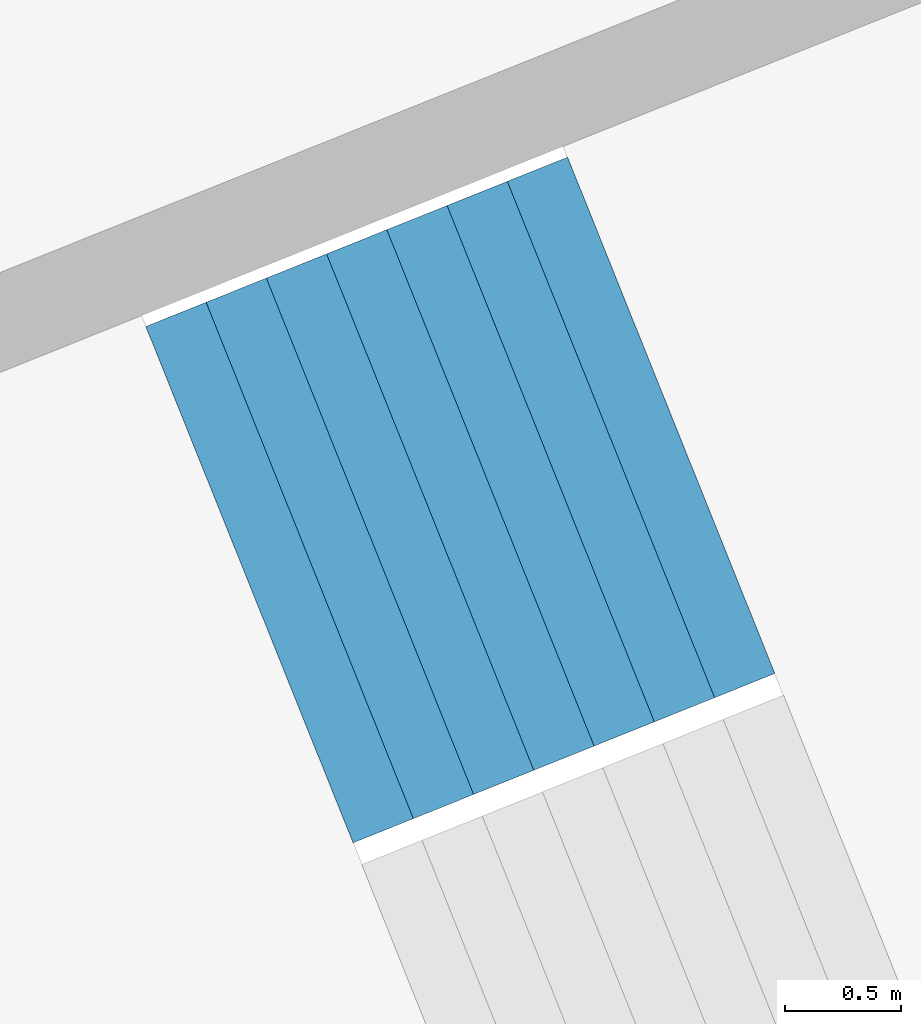
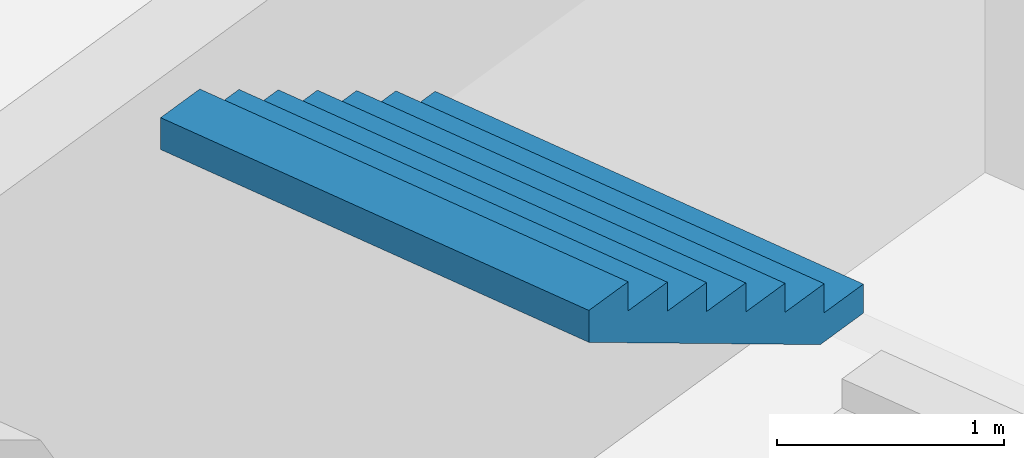
# One storey, part 68 of 73: 1 stair flight, 1 element without a shape of its own.
"""IFC4 building model written with IfcOpenShell, lengths in metres."""

from ifc_helpers import new_model, si_unit, direction, frame, origin, place, context, subcontext, project, spatial, triangles, material, type_object, element, aggregate, save


model = new_model("IFC4")

# Units and contexts
model_context = context("Model", 3, precision=1e-05, world=origin(), true_north=direction((0.0, 1.0)))
body_context = subcontext(model_context, "Body", "Model", "MODEL_VIEW")
ifc_project = project(units=[si_unit("LENGTHUNIT", "METRE"), si_unit("AREAUNIT", "SQUARE_METRE"), si_unit("VOLUMEUNIT", "CUBIC_METRE"), si_unit("PLANEANGLEUNIT", "RADIAN"), si_unit("MASSUNIT", "GRAM", prefix="KILO")], contexts=[model_context])

# Site, building, storey
site_placement = place(None, origin())
site = spatial("IfcSite", under=ifc_project, at=site_placement, CompositionType="ELEMENT")
building_placement = place(site_placement, origin())
building = spatial("IfcBuilding", under=site, at=building_placement, Name="Lantaw Convention Tower", CompositionType="ELEMENT")
storey_placement = place(building_placement, frame((0.0, 0.0, 27.0)))
storey = spatial("IfcBuildingStorey", under=building, at=storey_placement, Name="L04", CompositionType="ELEMENT", Elevation=27.0)

# Stair, stair flight
ifc_material = material(Name="Concrete C35/45", Category="concrete")
stair_type = type_object("IfcStairType", Name="Exit stair 2400 riser 156.25 in 4 flights", PredefinedType="HALF_TURN_STAIR", material=ifc_material)
stair_placement = place(storey_placement, origin())
stair = element("IfcStair", 1, at=stair_placement, inside=storey, type_object=stair_type, Name="Podium exit stair P2 L04", PredefinedType="HALF_TURN_STAIR")
stair_flight_type = type_object("IfcStairFlightType", Name="Stair flight 2400 riser 156.25", PredefinedType="STRAIGHT", material=ifc_material)
stair_flight_placement = place(storey_placement, frame((37.618408203125, 16.448486328125, 3.75), z_axis=(0.0, 0.0, 1.0), x_axis=(-0.928015168305, -0.372542410198, 0.0)))
stair_flight = element("IfcStairFlight", 2, at=stair_flight_placement, type_object=stair_flight_type, Name="P2 flight 4", NumberOfRisers=8, NumberOfTreads=7, PredefinedType="STRAIGHT", RiserHeight=0.15625, TreadLength=0.28, context=body_context, shape_type="Tessellation", body=[
    triangles([(0.0, 1.199951171875, 0.0), (0.0, 1.199951171875, 0.15625), (0.28, 1.199951171875, 0.0), (0.28, 1.199951171875, 0.15625), (0.28, 1.199951171875, 0.3125), (0.3076200632058044, 1.199951171875, 0.0), (0.3076200632058044, 1.199951171875, 0.3125), (0.56, 1.199951171875, 0.14083701830033238), (0.56, 1.199951171875, 0.3125), (0.56, 1.199951171875, 0.46875), (0.8400000000000001, 1.199951171875, 0.29708701830033235), (0.8400000000000001, 1.199951171875, 0.46875), (0.8400000000000001, 1.199951171875, 0.625), (1.12, 1.199951171875, 0.45333701830033235), (1.12, 1.199951171875, 0.625), (1.12, 1.199951171875, 0.78125), (1.4000000000000001, 1.199951171875, 0.6095870183003324), (1.4000000000000001, 1.199951171875, 0.78125), (1.4000000000000001, 1.199951171875, 0.9375), (1.6800000000000002, 1.199951171875, 0.7658370183003324), (1.6800000000000002, 1.199951171875, 0.9375), (1.6800000000000002, 1.199951171875, 1.09375), (1.9600000000000002, 1.199951171875, 0.9220870183003324), (1.9600000000000002, 1.199951171875, 1.09375), (0.0, -1.199951171875, 0.0), (0.0, -1.199951171875, 0.15625), (0.28, -1.199951171875, 0.0), (0.28, -1.199951171875, 0.15625), (0.28, -1.199951171875, 0.3125), (0.3076200632058044, -1.199951171875, 0.0), (0.3076200632058044, -1.199951171875, 0.3125), (0.56, -1.199951171875, 0.14083701830033238), (0.56, -1.199951171875, 0.3125), (0.56, -1.199951171875, 0.46875), (0.8400000000000001, -1.199951171875, 0.29708701830033235), (0.8400000000000001, -1.199951171875, 0.46875), (0.8400000000000001, -1.199951171875, 0.625), (1.12, -1.199951171875, 0.45333701830033235), (1.12, -1.199951171875, 0.625), (1.12, -1.199951171875, 0.78125), (1.4000000000000001, -1.199951171875, 0.6095870183003324), (1.4000000000000001, -1.199951171875, 0.78125), (1.4000000000000001, -1.199951171875, 0.9375), (1.6800000000000002, -1.199951171875, 0.7658370183003324), (1.6800000000000002, -1.199951171875, 0.9375), (1.6800000000000002, -1.199951171875, 1.09375), (1.9600000000000002, -1.199951171875, 0.9220870183003324), (1.9600000000000002, -1.199951171875, 1.09375), (0.0, 0.239990234375, 0.15625), (0.0, 0.239990234375, 0.0), (0.0, 0.1919921875, 0.15625), (0.0, 0.1919921875, 0.0), (0.0, 0.143994140625, 0.15625), (0.0, 0.143994140625, 0.0), (0.0, 0.09599609375, 0.15625), (0.0, 0.09599609375, 0.0), (0.0, 0.047998046875, 0.15625), (0.0, 0.047998046875, 0.0), (0.0, 0.0, 0.15625), (0.0, 0.0, 0.0), (0.0, -0.047998046875, 0.15625), (0.0, -0.047998046875, 0.0), (0.0, -0.09599609375, 0.15625), (0.0, -0.09599609375, 0.0), (0.0, -0.143994140625, 0.15625), (0.0, -0.143994140625, 0.0), (0.0, -0.1919921875, 0.15625), (0.0, -0.1919921875, 0.0), (0.0, -0.239990234375, 0.15625), (0.0, -0.239990234375, 0.0), (0.28, 0.239990234375, 0.3125), (0.28, 0.239990234375, 0.15625), (0.28, 0.1919921875, 0.3125), (0.28, 0.1919921875, 0.15625), (0.28, 0.143994140625, 0.3125), (0.28, 0.143994140625, 0.15625), (0.28, 0.09599609375, 0.3125), (0.28, 0.09599609375, 0.15625), (0.28, 0.047998046875, 0.3125), (0.28, 0.047998046875, 0.15625), (0.28, 0.0, 0.3125), (0.28, 0.0, 0.15625), (0.28, -0.047998046875, 0.3125), (0.28, -0.047998046875, 0.15625), (0.28, -0.09599609375, 0.3125), (0.28, -0.09599609375, 0.15625), (0.28, -0.143994140625, 0.3125), (0.28, -0.143994140625, 0.15625), (0.28, -0.1919921875, 0.3125), (0.28, -0.1919921875, 0.15625), (0.28, -0.239990234375, 0.3125), (0.28, -0.239990234375, 0.15625), (0.56, 0.239990234375, 0.46875), (0.56, 0.239990234375, 0.3125), (0.56, 0.1919921875, 0.46875), (0.56, 0.1919921875, 0.3125), (0.56, 0.143994140625, 0.46875), (0.56, 0.143994140625, 0.3125), (0.56, 0.09599609375, 0.46875), (0.56, 0.09599609375, 0.3125), (0.56, 0.047998046875, 0.46875), (0.56, 0.047998046875, 0.3125), (0.56, 0.0, 0.46875), (0.56, 0.0, 0.3125), (0.56, -0.047998046875, 0.46875), (0.56, -0.047998046875, 0.3125), (0.56, -0.09599609375, 0.46875), (0.56, -0.09599609375, 0.3125), (0.56, -0.143994140625, 0.46875), (0.56, -0.143994140625, 0.3125), (0.56, -0.1919921875, 0.46875), (0.56, -0.1919921875, 0.3125), (0.56, -0.239990234375, 0.46875), (0.56, -0.239990234375, 0.3125), (0.8400000000000001, 0.239990234375, 0.625), (0.8400000000000001, 0.239990234375, 0.46875), (0.8400000000000001, 0.1919921875, 0.625), (0.8400000000000001, 0.1919921875, 0.46875), (0.8400000000000001, 0.143994140625, 0.625), (0.8400000000000001, 0.143994140625, 0.46875), (0.8400000000000001, 0.09599609375, 0.625), (0.8400000000000001, 0.09599609375, 0.46875), (0.8400000000000001, 0.047998046875, 0.625), (0.8400000000000001, 0.047998046875, 0.46875), (0.8400000000000001, 0.0, 0.625), (0.8400000000000001, 0.0, 0.46875), (0.8400000000000001, -0.047998046875, 0.625), (0.8400000000000001, -0.047998046875, 0.46875), (0.8400000000000001, -0.09599609375, 0.625), (0.8400000000000001, -0.09599609375, 0.46875), (0.8400000000000001, -0.143994140625, 0.625), (0.8400000000000001, -0.143994140625, 0.46875), (0.8400000000000001, -0.1919921875, 0.625), (0.8400000000000001, -0.1919921875, 0.46875), (0.8400000000000001, -0.239990234375, 0.625), (0.8400000000000001, -0.239990234375, 0.46875), (1.12, 0.239990234375, 0.78125), (1.12, 0.239990234375, 0.625), (1.12, 0.1919921875, 0.78125), (1.12, 0.1919921875, 0.625), (1.12, 0.143994140625, 0.78125), (1.12, 0.143994140625, 0.625), (1.12, 0.09599609375, 0.78125), (1.12, 0.09599609375, 0.625), (1.12, 0.047998046875, 0.78125), (1.12, 0.047998046875, 0.625), (1.12, 0.0, 0.78125), (1.12, 0.0, 0.625), (1.12, -0.047998046875, 0.78125), (1.12, -0.047998046875, 0.625), (1.12, -0.09599609375, 0.78125), (1.12, -0.09599609375, 0.625), (1.12, -0.143994140625, 0.78125), (1.12, -0.143994140625, 0.625), (1.12, -0.1919921875, 0.78125), (1.12, -0.1919921875, 0.625), (1.12, -0.239990234375, 0.78125), (1.12, -0.239990234375, 0.625), (1.4000000000000001, 0.239990234375, 0.9375), (1.4000000000000001, 0.239990234375, 0.78125), (1.4000000000000001, 0.1919921875, 0.9375), (1.4000000000000001, 0.1919921875, 0.78125), (1.4000000000000001, 0.143994140625, 0.9375), (1.4000000000000001, 0.143994140625, 0.78125), (1.4000000000000001, 0.09599609375, 0.9375), (1.4000000000000001, 0.09599609375, 0.78125), (1.4000000000000001, 0.047998046875, 0.9375), (1.4000000000000001, 0.047998046875, 0.78125), (1.4000000000000001, 0.0, 0.9375), (1.4000000000000001, 0.0, 0.78125), (1.4000000000000001, -0.047998046875, 0.9375), (1.4000000000000001, -0.047998046875, 0.78125), (1.4000000000000001, -0.09599609375, 0.9375), (1.4000000000000001, -0.09599609375, 0.78125), (1.4000000000000001, -0.143994140625, 0.9375), (1.4000000000000001, -0.143994140625, 0.78125), (1.4000000000000001, -0.1919921875, 0.9375), (1.4000000000000001, -0.1919921875, 0.78125), (1.4000000000000001, -0.239990234375, 0.9375), (1.4000000000000001, -0.239990234375, 0.78125), (1.6800000000000002, 0.239990234375, 1.09375), (1.6800000000000002, 0.239990234375, 0.9375), (1.6800000000000002, 0.1919921875, 1.09375), (1.6800000000000002, 0.1919921875, 0.9375), (1.6800000000000002, 0.143994140625, 1.09375), (1.6800000000000002, 0.143994140625, 0.9375), (1.6800000000000002, 0.09599609375, 1.09375), (1.6800000000000002, 0.09599609375, 0.9375), (1.6800000000000002, 0.047998046875, 1.09375), (1.6800000000000002, 0.047998046875, 0.9375), (1.6800000000000002, 0.0, 1.09375), (1.6800000000000002, 0.0, 0.9375), (1.6800000000000002, -0.047998046875, 1.09375), (1.6800000000000002, -0.047998046875, 0.9375), (1.6800000000000002, -0.09599609375, 1.09375), (1.6800000000000002, -0.09599609375, 0.9375), (1.6800000000000002, -0.143994140625, 1.09375), (1.6800000000000002, -0.143994140625, 0.9375), (1.6800000000000002, -0.1919921875, 1.09375), (1.6800000000000002, -0.1919921875, 0.9375), (1.6800000000000002, -0.239990234375, 1.09375), (1.6800000000000002, -0.239990234375, 0.9375), (0.3076200632058044, 0.239990234375, 0.3125), (0.3076200632058044, 0.1919921875, 0.3125), (0.3076200632058044, 0.143994140625, 0.3125), (0.3076200632058044, 0.09599609375, 0.3125), (0.3076200632058044, 0.047998046875, 0.3125), (0.3076200632058044, 0.0, 0.3125), (0.3076200632058044, -0.047998046875, 0.3125), (0.3076200632058044, -0.09599609375, 0.3125), (0.3076200632058044, -0.143994140625, 0.3125), (0.3076200632058044, -0.1919921875, 0.3125), (0.3076200632058044, -0.239990234375, 0.3125), (1.9600000000000002, 0.239990234375, 1.09375), (1.9600000000000002, 0.1919921875, 1.09375), (1.9600000000000002, 0.143994140625, 1.09375), (1.9600000000000002, 0.09599609375, 1.09375), (1.9600000000000002, 0.047998046875, 1.09375), (1.9600000000000002, 0.0, 1.09375), (1.9600000000000002, -0.047998046875, 1.09375), (1.9600000000000002, -0.09599609375, 1.09375), (1.9600000000000002, -0.143994140625, 1.09375), (1.9600000000000002, -0.1919921875, 1.09375), (1.9600000000000002, -0.239990234375, 1.09375), (1.9600000000000002, 0.239990234375, 0.9220870183003324), (1.9600000000000002, 0.1919921875, 0.9220870183003324), (1.9600000000000002, 0.143994140625, 0.9220870183003324), (1.9600000000000002, 0.09599609375, 0.9220870183003324), (1.9600000000000002, 0.047998046875, 0.9220870183003324), (1.9600000000000002, 0.0, 0.9220870183003324), (1.9600000000000002, -0.047998046875, 0.9220870183003324), (1.9600000000000002, -0.09599609375, 0.9220870183003324), (1.9600000000000002, -0.143994140625, 0.9220870183003324), (1.9600000000000002, -0.1919921875, 0.9220870183003324), (1.9600000000000002, -0.239990234375, 0.9220870183003324), (1.6800000000000002, 0.239990234375, 0.7658370183003324), (1.6800000000000002, 0.1919921875, 0.7658370183003324), (1.6800000000000002, 0.143994140625, 0.7658370183003324), (1.6800000000000002, 0.09599609375, 0.7658370183003324), (1.6800000000000002, 0.047998046875, 0.7658370183003324), (1.6800000000000002, 0.0, 0.7658370183003324), (1.6800000000000002, -0.047998046875, 0.7658370183003324), (1.6800000000000002, -0.09599609375, 0.7658370183003324), (1.6800000000000002, -0.143994140625, 0.7658370183003324), (1.6800000000000002, -0.1919921875, 0.7658370183003324), (1.6800000000000002, -0.239990234375, 0.7658370183003324), (1.4000000000000001, 0.239990234375, 0.6095870183003324), (1.4000000000000001, 0.1919921875, 0.6095870183003324), (1.4000000000000001, 0.143994140625, 0.6095870183003324), (1.4000000000000001, 0.09599609375, 0.6095870183003324), (1.4000000000000001, 0.047998046875, 0.6095870183003324), (1.4000000000000001, 0.0, 0.6095870183003324), (1.4000000000000001, -0.047998046875, 0.6095870183003324), (1.4000000000000001, -0.09599609375, 0.6095870183003324), (1.4000000000000001, -0.143994140625, 0.6095870183003324), (1.4000000000000001, -0.1919921875, 0.6095870183003324), (1.4000000000000001, -0.239990234375, 0.6095870183003324), (1.12, 0.239990234375, 0.45333701830033235), (1.12, 0.1919921875, 0.45333701830033235), (1.12, 0.143994140625, 0.45333701830033235), (1.12, 0.09599609375, 0.45333701830033235), (1.12, 0.047998046875, 0.45333701830033235), (1.12, 0.0, 0.45333701830033235), (1.12, -0.047998046875, 0.45333701830033235), (1.12, -0.09599609375, 0.45333701830033235), (1.12, -0.143994140625, 0.45333701830033235), (1.12, -0.1919921875, 0.45333701830033235), (1.12, -0.239990234375, 0.45333701830033235), (0.8400000000000001, 0.239990234375, 0.29708701830033235), (0.8400000000000001, 0.1919921875, 0.29708701830033235), (0.8400000000000001, 0.143994140625, 0.29708701830033235), (0.8400000000000001, 0.09599609375, 0.29708701830033235), (0.8400000000000001, 0.047998046875, 0.29708701830033235), (0.8400000000000001, 0.0, 0.29708701830033235), (0.8400000000000001, -0.047998046875, 0.29708701830033235), (0.8400000000000001, -0.09599609375, 0.29708701830033235), (0.8400000000000001, -0.143994140625, 0.29708701830033235), (0.8400000000000001, -0.1919921875, 0.29708701830033235), (0.8400000000000001, -0.239990234375, 0.29708701830033235), (0.56, 0.239990234375, 0.14083701830033238), (0.56, 0.1919921875, 0.14083701830033238), (0.56, 0.143994140625, 0.14083701830033238), (0.56, 0.09599609375, 0.14083701830033238), (0.56, 0.047998046875, 0.14083701830033238), (0.56, 0.0, 0.14083701830033238), (0.56, -0.047998046875, 0.14083701830033238), (0.56, -0.09599609375, 0.14083701830033238), (0.56, -0.143994140625, 0.14083701830033238), (0.56, -0.1919921875, 0.14083701830033238), (0.56, -0.239990234375, 0.14083701830033238), (0.3076200632058044, 0.239990234375, 0.0), (0.3076200632058044, 0.1919921875, 0.0), (0.3076200632058044, 0.143994140625, 0.0), (0.3076200632058044, 0.09599609375, 0.0), (0.3076200632058044, 0.047998046875, 0.0), (0.3076200632058044, 0.0, 0.0), (0.3076200632058044, -0.047998046875, 0.0), (0.3076200632058044, -0.09599609375, 0.0), (0.3076200632058044, -0.143994140625, 0.0), (0.3076200632058044, -0.1919921875, 0.0), (0.3076200632058044, -0.239990234375, 0.0), (0.28, 0.239990234375, 0.0), (0.28, 0.1919921875, 0.0), (0.28, 0.143994140625, 0.0), (0.28, 0.09599609375, 0.0), (0.28, 0.047998046875, 0.0), (0.28, 0.0, 0.0), (0.28, -0.047998046875, 0.0), (0.28, -0.09599609375, 0.0), (0.28, -0.143994140625, 0.0), (0.28, -0.1919921875, 0.0), (0.28, -0.239990234375, 0.0)], [[1, 4, 3], [1, 2, 4], [3, 4, 6], [4, 7, 6], [4, 5, 7], [6, 9, 8], [6, 7, 9], [8, 9, 11], [9, 12, 11], [9, 10, 12], [11, 12, 14], [12, 15, 14], [12, 13, 15], [14, 15, 17], [15, 18, 17], [15, 16, 18], [17, 18, 20], [18, 21, 20], [18, 19, 21], [20, 21, 23], [21, 24, 23], [21, 22, 24], [25, 27, 28], [25, 28, 26], [27, 30, 28], [28, 30, 31], [28, 31, 29], [30, 32, 33], [30, 33, 31], [32, 35, 33], [33, 35, 36], [33, 36, 34], [35, 38, 36], [36, 38, 39], [36, 39, 37], [38, 41, 39], [39, 41, 42], [39, 42, 40], [41, 44, 42], [42, 44, 45], [42, 45, 43], [44, 47, 45], [45, 47, 48], [45, 48, 46], [1, 49, 2], [1, 50, 49], [50, 51, 49], [50, 52, 51], [52, 53, 51], [52, 54, 53], [54, 55, 53], [54, 56, 55], [56, 57, 55], [56, 58, 57], [58, 59, 57], [58, 60, 59], [60, 61, 59], [60, 62, 61], [62, 63, 61], [62, 64, 63], [64, 65, 63], [64, 66, 65], [66, 67, 65], [66, 68, 67], [68, 69, 67], [68, 70, 69], [70, 26, 69], [70, 25, 26], [4, 71, 5], [4, 72, 71], [72, 73, 71], [72, 74, 73], [74, 75, 73], [74, 76, 75], [76, 77, 75], [76, 78, 77], [78, 79, 77], [78, 80, 79], [80, 81, 79], [80, 82, 81], [82, 83, 81], [82, 84, 83], [84, 85, 83], [84, 86, 85], [86, 87, 85], [86, 88, 87], [88, 89, 87], [88, 90, 89], [90, 91, 89], [90, 92, 91], [92, 29, 91], [92, 28, 29], [9, 93, 10], [9, 94, 93], [94, 95, 93], [94, 96, 95], [96, 97, 95], [96, 98, 97], [98, 99, 97], [98, 100, 99], [100, 101, 99], [100, 102, 101], [102, 103, 101], [102, 104, 103], [104, 105, 103], [104, 106, 105], [106, 107, 105], [106, 108, 107], [108, 109, 107], [108, 110, 109], [110, 111, 109], [110, 112, 111], [112, 113, 111], [112, 114, 113], [114, 34, 113], [114, 33, 34], [12, 115, 13], [12, 116, 115], [116, 117, 115], [116, 118, 117], [118, 119, 117], [118, 120, 119], [120, 121, 119], [120, 122, 121], [122, 123, 121], [122, 124, 123], [124, 125, 123], [124, 126, 125], [126, 127, 125], [126, 128, 127], [128, 129, 127], [128, 130, 129], [130, 131, 129], [130, 132, 131], [132, 133, 131], [132, 134, 133], [134, 135, 133], [134, 136, 135], [136, 37, 135], [136, 36, 37], [15, 137, 16], [15, 138, 137], [138, 139, 137], [138, 140, 139], [140, 141, 139], [140, 142, 141], [142, 143, 141], [142, 144, 143], [144, 145, 143], [144, 146, 145], [146, 147, 145], [146, 148, 147], [148, 149, 147], [148, 150, 149], [150, 151, 149], [150, 152, 151], [152, 153, 151], [152, 154, 153], [154, 155, 153], [154, 156, 155], [156, 157, 155], [156, 158, 157], [158, 40, 157], [158, 39, 40], [18, 159, 19], [18, 160, 159], [160, 161, 159], [160, 162, 161], [162, 163, 161], [162, 164, 163], [164, 165, 163], [164, 166, 165], [166, 167, 165], [166, 168, 167], [168, 169, 167], [168, 170, 169], [170, 171, 169], [170, 172, 171], [172, 173, 171], [172, 174, 173], [174, 175, 173], [174, 176, 175], [176, 177, 175], [176, 178, 177], [178, 179, 177], [178, 180, 179], [180, 43, 179], [180, 42, 43], [21, 181, 22], [21, 182, 181], [182, 183, 181], [182, 184, 183], [184, 185, 183], [184, 186, 185], [186, 187, 185], [186, 188, 187], [188, 189, 187], [188, 190, 189], [190, 191, 189], [190, 192, 191], [192, 193, 191], [192, 194, 193], [194, 195, 193], [194, 196, 195], [196, 197, 195], [196, 198, 197], [198, 199, 197], [198, 200, 199], [200, 201, 199], [200, 202, 201], [202, 46, 201], [202, 45, 46], [2, 72, 4], [2, 49, 72], [49, 74, 72], [49, 51, 74], [51, 76, 74], [51, 53, 76], [53, 78, 76], [53, 55, 78], [55, 80, 78], [55, 57, 80], [57, 82, 80], [57, 59, 82], [59, 84, 82], [59, 61, 84], [61, 86, 84], [61, 63, 86], [63, 88, 86], [63, 65, 88], [65, 90, 88], [65, 67, 90], [67, 92, 90], [67, 69, 92], [69, 28, 92], [69, 26, 28], [5, 203, 7], [5, 71, 203], [71, 204, 203], [71, 73, 204], [73, 205, 204], [73, 75, 205], [75, 206, 205], [75, 77, 206], [77, 207, 206], [77, 79, 207], [79, 208, 207], [79, 81, 208], [81, 209, 208], [81, 83, 209], [83, 210, 209], [83, 85, 210], [85, 211, 210], [85, 87, 211], [87, 212, 211], [87, 89, 212], [89, 213, 212], [89, 91, 213], [91, 31, 213], [91, 29, 31], [7, 94, 9], [7, 203, 94], [203, 96, 94], [203, 204, 96], [204, 98, 96], [204, 205, 98], [205, 100, 98], [205, 206, 100], [206, 102, 100], [206, 207, 102], [207, 104, 102], [207, 208, 104], [208, 106, 104], [208, 209, 106], [209, 108, 106], [209, 210, 108], [210, 110, 108], [210, 211, 110], [211, 112, 110], [211, 212, 112], [212, 114, 112], [212, 213, 114], [213, 33, 114], [213, 31, 33], [10, 116, 12], [10, 93, 116], [93, 118, 116], [93, 95, 118], [95, 120, 118], [95, 97, 120], [97, 122, 120], [97, 99, 122], [99, 124, 122], [99, 101, 124], [101, 126, 124], [101, 103, 126], [103, 128, 126], [103, 105, 128], [105, 130, 128], [105, 107, 130], [107, 132, 130], [107, 109, 132], [109, 134, 132], [109, 111, 134], [111, 136, 134], [111, 113, 136], [113, 36, 136], [113, 34, 36], [13, 138, 15], [13, 115, 138], [115, 140, 138], [115, 117, 140], [117, 142, 140], [117, 119, 142], [119, 144, 142], [119, 121, 144], [121, 146, 144], [121, 123, 146], [123, 148, 146], [123, 125, 148], [125, 150, 148], [125, 127, 150], [127, 152, 150], [127, 129, 152], [129, 154, 152], [129, 131, 154], [131, 156, 154], [131, 133, 156], [133, 158, 156], [133, 135, 158], [135, 39, 158], [135, 37, 39], [16, 160, 18], [16, 137, 160], [137, 162, 160], [137, 139, 162], [139, 164, 162], [139, 141, 164], [141, 166, 164], [141, 143, 166], [143, 168, 166], [143, 145, 168], [145, 170, 168], [145, 147, 170], [147, 172, 170], [147, 149, 172], [149, 174, 172], [149, 151, 174], [151, 176, 174], [151, 153, 176], [153, 178, 176], [153, 155, 178], [155, 180, 178], [155, 157, 180], [157, 42, 180], [157, 40, 42], [19, 182, 21], [19, 159, 182], [159, 184, 182], [159, 161, 184], [161, 186, 184], [161, 163, 186], [163, 188, 186], [163, 165, 188], [165, 190, 188], [165, 167, 190], [167, 192, 190], [167, 169, 192], [169, 194, 192], [169, 171, 194], [171, 196, 194], [171, 173, 196], [173, 198, 196], [173, 175, 198], [175, 200, 198], [175, 177, 200], [177, 202, 200], [177, 179, 202], [179, 45, 202], [179, 43, 45], [22, 214, 24], [22, 181, 214], [181, 215, 214], [181, 183, 215], [183, 216, 215], [183, 185, 216], [185, 217, 216], [185, 187, 217], [187, 218, 217], [187, 189, 218], [189, 219, 218], [189, 191, 219], [191, 220, 219], [191, 193, 220], [193, 221, 220], [193, 195, 221], [195, 222, 221], [195, 197, 222], [197, 223, 222], [197, 199, 223], [199, 224, 223], [199, 201, 224], [201, 48, 224], [201, 46, 48], [24, 225, 23], [24, 214, 225], [214, 226, 225], [214, 215, 226], [215, 227, 226], [215, 216, 227], [216, 228, 227], [216, 217, 228], [217, 229, 228], [217, 218, 229], [218, 230, 229], [218, 219, 230], [219, 231, 230], [219, 220, 231], [220, 232, 231], [220, 221, 232], [221, 233, 232], [221, 222, 233], [222, 234, 233], [222, 223, 234], [223, 235, 234], [223, 224, 235], [224, 47, 235], [224, 48, 47], [23, 236, 20], [23, 225, 236], [225, 237, 236], [225, 226, 237], [226, 238, 237], [226, 227, 238], [227, 239, 238], [227, 228, 239], [228, 240, 239], [228, 229, 240], [229, 241, 240], [229, 230, 241], [230, 242, 241], [230, 231, 242], [231, 243, 242], [231, 232, 243], [232, 244, 243], [232, 233, 244], [233, 245, 244], [233, 234, 245], [234, 246, 245], [234, 235, 246], [235, 44, 246], [235, 47, 44], [20, 247, 17], [20, 236, 247], [236, 248, 247], [236, 237, 248], [237, 249, 248], [237, 238, 249], [238, 250, 249], [238, 239, 250], [239, 251, 250], [239, 240, 251], [240, 252, 251], [240, 241, 252], [241, 253, 252], [241, 242, 253], [242, 254, 253], [242, 243, 254], [243, 255, 254], [243, 244, 255], [244, 256, 255], [244, 245, 256], [245, 257, 256], [245, 246, 257], [246, 41, 257], [246, 44, 41], [17, 258, 14], [17, 247, 258], [247, 259, 258], [247, 248, 259], [248, 260, 259], [248, 249, 260], [249, 261, 260], [249, 250, 261], [250, 262, 261], [250, 251, 262], [251, 263, 262], [251, 252, 263], [252, 264, 263], [252, 253, 264], [253, 265, 264], [253, 254, 265], [254, 266, 265], [254, 255, 266], [255, 267, 266], [255, 256, 267], [256, 268, 267], [256, 257, 268], [257, 38, 268], [257, 41, 38], [14, 269, 11], [14, 258, 269], [258, 270, 269], [258, 259, 270], [259, 271, 270], [259, 260, 271], [260, 272, 271], [260, 261, 272], [261, 273, 272], [261, 262, 273], [262, 274, 273], [262, 263, 274], [263, 275, 274], [263, 264, 275], [264, 276, 275], [264, 265, 276], [265, 277, 276], [265, 266, 277], [266, 278, 277], [266, 267, 278], [267, 279, 278], [267, 268, 279], [268, 35, 279], [268, 38, 35], [11, 280, 8], [11, 269, 280], [269, 281, 280], [269, 270, 281], [270, 282, 281], [270, 271, 282], [271, 283, 282], [271, 272, 283], [272, 284, 283], [272, 273, 284], [273, 285, 284], [273, 274, 285], [274, 286, 285], [274, 275, 286], [275, 287, 286], [275, 276, 287], [276, 288, 287], [276, 277, 288], [277, 289, 288], [277, 278, 289], [278, 290, 289], [278, 279, 290], [279, 32, 290], [279, 35, 32], [8, 291, 6], [8, 280, 291], [280, 292, 291], [280, 281, 292], [281, 293, 292], [281, 282, 293], [282, 294, 293], [282, 283, 294], [283, 295, 294], [283, 284, 295], [284, 296, 295], [284, 285, 296], [285, 297, 296], [285, 286, 297], [286, 298, 297], [286, 287, 298], [287, 299, 298], [287, 288, 299], [288, 300, 299], [288, 289, 300], [289, 301, 300], [289, 290, 301], [290, 30, 301], [290, 32, 30], [6, 302, 3], [6, 291, 302], [291, 303, 302], [291, 292, 303], [292, 304, 303], [292, 293, 304], [293, 305, 304], [293, 294, 305], [294, 306, 305], [294, 295, 306], [295, 307, 306], [295, 296, 307], [296, 308, 307], [296, 297, 308], [297, 309, 308], [297, 298, 309], [298, 310, 309], [298, 299, 310], [299, 311, 310], [299, 300, 311], [300, 312, 311], [300, 301, 312], [301, 27, 312], [301, 30, 27], [3, 50, 1], [3, 302, 50], [302, 52, 50], [302, 303, 52], [303, 54, 52], [303, 304, 54], [304, 56, 54], [304, 305, 56], [305, 58, 56], [305, 306, 58], [306, 60, 58], [306, 307, 60], [307, 62, 60], [307, 308, 62], [308, 64, 62], [308, 309, 64], [309, 66, 64], [309, 310, 66], [310, 68, 66], [310, 311, 68], [311, 70, 68], [311, 312, 70], [312, 25, 70], [312, 27, 25]], closed=True),
])
aggregate(stair, [stair_flight])

save(model, "model.ifc")
